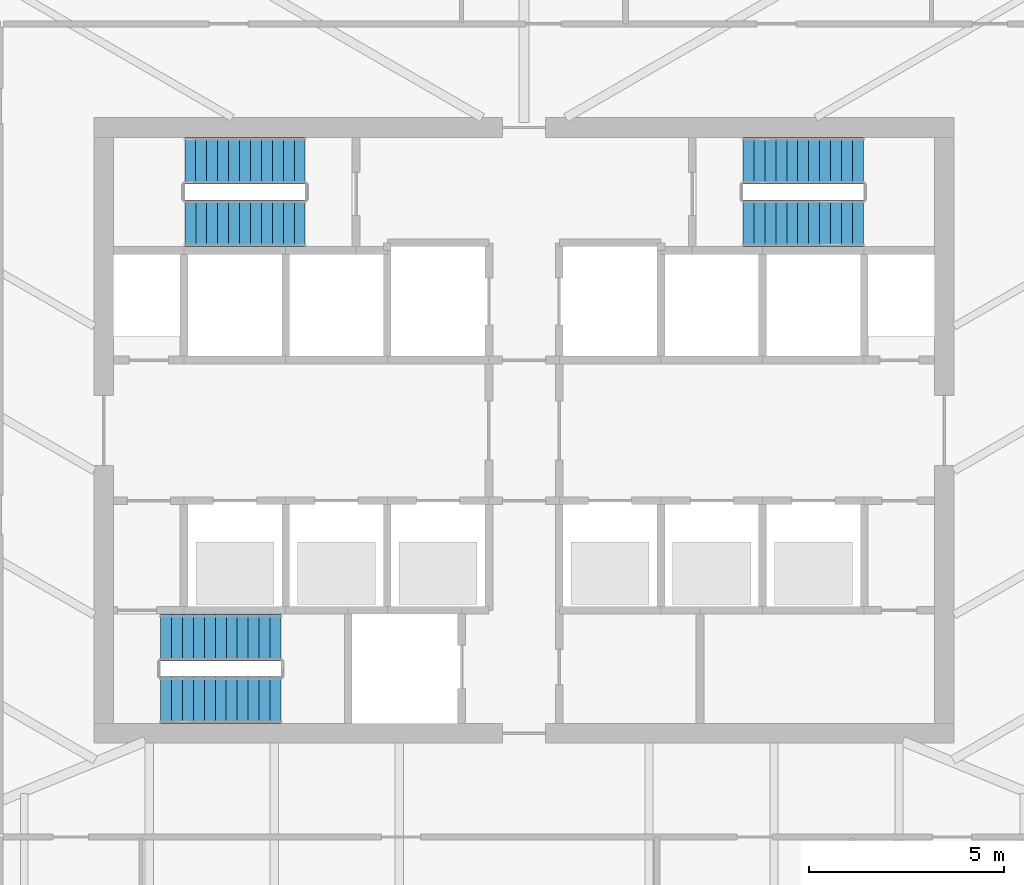
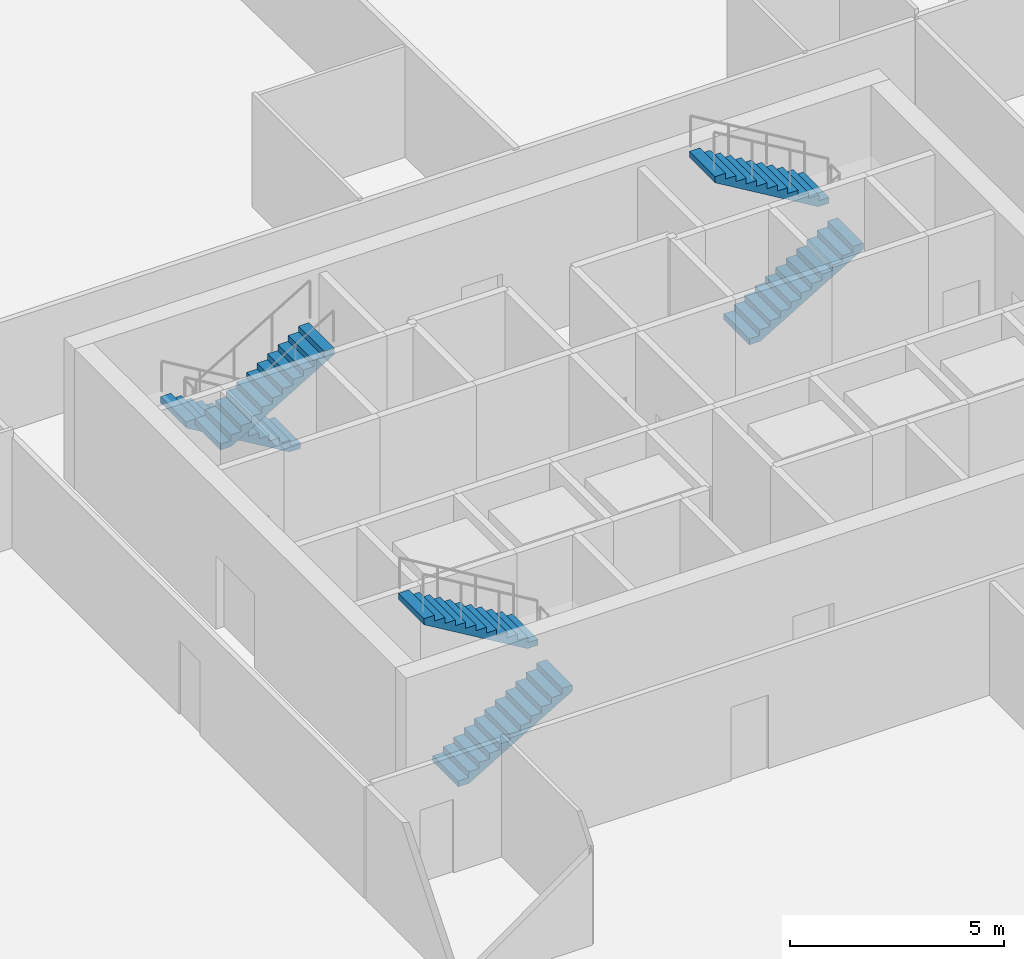
# One storey, part 12 of 16: 6 stair flights, 3 elements without a shape of their own.
"""IFC4 building model written with IfcOpenShell, lengths in metres."""

from ifc_helpers import new_model, si_unit, direction, frame, origin, place, context, subcontext, project, spatial, polyline, outline, extrude, material, type_object, element, aggregate, save


model = new_model("IFC4")

# Units and contexts
model_context = context("Model", 3, precision=1e-05, world=origin(), true_north=direction((0.0, 1.0)))
body_context = subcontext(model_context, "Body", "Model", "MODEL_VIEW")
ifc_project = project(units=[si_unit("LENGTHUNIT", "METRE"), si_unit("AREAUNIT", "SQUARE_METRE"), si_unit("VOLUMEUNIT", "CUBIC_METRE"), si_unit("PLANEANGLEUNIT", "RADIAN"), si_unit("MASSUNIT", "GRAM", prefix="KILO")], contexts=[model_context])

# Site, building, storey
site_placement = place(None, origin())
site = spatial("IfcSite", under=ifc_project, at=site_placement, CompositionType="ELEMENT")
building_placement = place(site_placement, origin())
building = spatial("IfcBuilding", under=site, at=building_placement, Name="Sierra Prisma Convention Tower", CompositionType="ELEMENT")
storey_placement = place(building_placement, frame((0.0, 0.0, 165.800048828125)))
storey = spatial("IfcBuildingStorey", under=building, at=storey_placement, Name="L36", CompositionType="ELEMENT", Elevation=165.800048828125)

# Stair, stair flights
ifc_material_1 = material(Name="Concrete C30/37", Category="concrete")
stair_type = type_object("IfcStairType", Name="Stair dog-leg 1200 RC", PredefinedType="HALF_TURN_STAIR", material=ifc_material_1)
stair_1_placement = place(storey_placement, origin())
stair_1 = element("IfcStair", 1, at=stair_1_placement, inside=storey, type_object=stair_type, Name="L36 S1", PredefinedType="HALF_TURN_STAIR")
ifc_material_2 = material(Name="Concrete C30/37", Category="concrete")
stair_flight_type = type_object("IfcStairFlightType", Name="Stair flight RC 1200", PredefinedType="STRAIGHT", material=ifc_material_2)
stair_flight_1_placement = place(storey_placement, frame((-9.300048828125, -6.89990234375, 0.0), z_axis=(0.0, 0.0, 1.0), x_axis=(1.0, 0.0, 0.0)))
stair_flight_1 = element("IfcStairFlight", 2, at=stair_flight_1_placement, type_object=stair_flight_type, Name="S1 flight 1", NumberOfRisers=12, NumberOfTreads=11, PredefinedType="STRAIGHT", RiserHeight=0.166666667, TreadLength=0.28, context=body_context, shape_type="SweptSolid", body=[
    extrude(outline(polyline([(0.0, 0.0), (0.0, 0.166748046875), (0.280029296875, 0.166748046875), (0.280029296875, 0.333251953125), (0.56005859375, 0.333251953125), (0.56005859375, 0.5), (0.840087890625, 0.5), (0.840087890625, 0.666748046875), (1.1201171875, 0.666748046875), (1.1201171875, 0.833251953125), (1.39990234375, 0.833251953125), (1.39990234375, 1.0), (1.679931640625, 1.0), (1.679931640625, 1.166748046875), (1.9599609375, 1.166748046875), (1.9599609375, 1.333251953125), (2.239990234375, 1.333251953125), (2.239990234375, 1.5), (2.52001953125, 1.5), (2.52001953125, 1.666748046875), (2.800048828125, 1.666748046875), (2.800048828125, 1.833251953125), (3.080078125, 1.833251953125), (3.080078125, 2.0), (3.080078125, 1.658935546875), (0.29296875, 0.0), (0.0, 0.0)])), frame((0.0, 0.60009765625, 0.0), z_axis=(0.0, -1.0, 0.0), x_axis=(1.0, 0.0, 0.0)), (0.0, 0.0, 1.0), 1.199951171875),
])
stair_flight_2_placement = place(storey_placement, frame((-6.219970703125, -5.300048828125, 2.0), z_axis=(0.0, 0.0, 1.0), x_axis=(-1.0, 0.0, 0.0)))
stair_flight_2 = element("IfcStairFlight", 3, at=stair_flight_2_placement, type_object=stair_flight_type, Name="S1 flight 2", NumberOfRisers=12, NumberOfTreads=11, PredefinedType="STRAIGHT", RiserHeight=0.166666667, TreadLength=0.28, context=body_context, shape_type="SweptSolid", body=[
    extrude(outline(polyline([(0.0, 0.0), (0.0, 0.166748046875), (0.280029296875, 0.166748046875), (0.280029296875, 0.333251953125), (0.56005859375, 0.333251953125), (0.56005859375, 0.5), (0.840087890625, 0.5), (0.840087890625, 0.666748046875), (1.1201171875, 0.666748046875), (1.1201171875, 0.833251953125), (1.39990234375, 0.833251953125), (1.39990234375, 1.0), (1.679931640625, 1.0), (1.679931640625, 1.166748046875), (1.9599609375, 1.166748046875), (1.9599609375, 1.333251953125), (2.239990234375, 1.333251953125), (2.239990234375, 1.5), (2.52001953125, 1.5), (2.52001953125, 1.666748046875), (2.800048828125, 1.666748046875), (2.800048828125, 1.833251953125), (3.080078125, 1.833251953125), (3.080078125, 2.0), (3.080078125, 1.658935546875), (0.29296875, 0.0), (0.0, 0.0)])), frame((0.0, 0.60009765625, 0.0), z_axis=(0.0, -1.0, 0.0), x_axis=(1.0, 0.0, 0.0)), (0.0, 0.0, 1.0), 1.199951171875),
])
aggregate(stair_1, [stair_flight_1, stair_flight_2])

stair_2_placement = place(storey_placement, origin())
stair_2 = element("IfcStair", 4, at=stair_2_placement, inside=storey, type_object=stair_type, Name="L36 S3", PredefinedType="HALF_TURN_STAIR")
stair_flight_3_placement = place(storey_placement, frame((-5.60009765625, 6.89990234375, 0.0), z_axis=(0.0, 0.0, 1.0), x_axis=(-1.0, 0.0, 0.0)))
stair_flight_3 = element("IfcStairFlight", 5, at=stair_flight_3_placement, type_object=stair_flight_type, Name="S3 flight 1", NumberOfRisers=12, NumberOfTreads=11, PredefinedType="STRAIGHT", RiserHeight=0.166666667, TreadLength=0.28, context=body_context, shape_type="SweptSolid", body=[
    extrude(outline(polyline([(0.0, 0.0), (0.0, 0.166748046875), (0.280029296875, 0.166748046875), (0.280029296875, 0.333251953125), (0.56005859375, 0.333251953125), (0.56005859375, 0.5), (0.840087890625, 0.5), (0.840087890625, 0.666748046875), (1.1201171875, 0.666748046875), (1.1201171875, 0.833251953125), (1.39990234375, 0.833251953125), (1.39990234375, 1.0), (1.679931640625, 1.0), (1.679931640625, 1.166748046875), (1.9599609375, 1.166748046875), (1.9599609375, 1.333251953125), (2.239990234375, 1.333251953125), (2.239990234375, 1.5), (2.52001953125, 1.5), (2.52001953125, 1.666748046875), (2.800048828125, 1.666748046875), (2.800048828125, 1.833251953125), (3.080078125, 1.833251953125), (3.080078125, 2.0), (3.080078125, 1.658935546875), (0.29296875, 0.0), (0.0, 0.0)])), frame((0.0, 0.60009765625, 0.0), z_axis=(0.0, -1.0, 0.0), x_axis=(1.0, 0.0, 0.0)), (0.0, 0.0, 1.0), 1.199951171875),
])
stair_flight_4_placement = place(storey_placement, frame((-8.679931640625, 5.300048828125, 2.0), z_axis=(0.0, 0.0, 1.0), x_axis=(1.0, 0.0, 0.0)))
stair_flight_4 = element("IfcStairFlight", 6, at=stair_flight_4_placement, type_object=stair_flight_type, Name="S3 flight 2", NumberOfRisers=12, NumberOfTreads=11, PredefinedType="STRAIGHT", RiserHeight=0.166666667, TreadLength=0.28, context=body_context, shape_type="SweptSolid", body=[
    extrude(outline(polyline([(0.0, 0.0), (0.0, 0.166748046875), (0.280029296875, 0.166748046875), (0.280029296875, 0.333251953125), (0.56005859375, 0.333251953125), (0.56005859375, 0.5), (0.840087890625, 0.5), (0.840087890625, 0.666748046875), (1.1201171875, 0.666748046875), (1.1201171875, 0.833251953125), (1.39990234375, 0.833251953125), (1.39990234375, 1.0), (1.679931640625, 1.0), (1.679931640625, 1.166748046875), (1.9599609375, 1.166748046875), (1.9599609375, 1.333251953125), (2.239990234375, 1.333251953125), (2.239990234375, 1.5), (2.52001953125, 1.5), (2.52001953125, 1.666748046875), (2.800048828125, 1.666748046875), (2.800048828125, 1.833251953125), (3.080078125, 1.833251953125), (3.080078125, 2.0), (3.080078125, 1.658935546875), (0.29296875, 0.0), (0.0, 0.0)])), frame((0.0, 0.60009765625, 0.0), z_axis=(0.0, -1.0, 0.0), x_axis=(1.0, 0.0, 0.0)), (0.0, 0.0, 1.0), 1.199951171875),
])
aggregate(stair_2, [stair_flight_3, stair_flight_4])

stair_3_placement = place(storey_placement, origin())
stair_3 = element("IfcStair", 7, at=stair_3_placement, inside=storey, type_object=stair_type, Name="L36 S4", PredefinedType="HALF_TURN_STAIR")
stair_flight_5_placement = place(storey_placement, frame((5.60009765625, 5.300048828125, 0.0), z_axis=(0.0, 0.0, 1.0), x_axis=(1.0, 0.0, 0.0)))
stair_flight_5 = element("IfcStairFlight", 8, at=stair_flight_5_placement, type_object=stair_flight_type, Name="S4 flight 1", NumberOfRisers=12, NumberOfTreads=11, PredefinedType="STRAIGHT", RiserHeight=0.166666667, TreadLength=0.28, context=body_context, shape_type="SweptSolid", body=[
    extrude(outline(polyline([(0.0, 0.0), (0.0, 0.166748046875), (0.280029296875, 0.166748046875), (0.280029296875, 0.333251953125), (0.56005859375, 0.333251953125), (0.56005859375, 0.5), (0.840087890625, 0.5), (0.840087890625, 0.666748046875), (1.1201171875, 0.666748046875), (1.1201171875, 0.833251953125), (1.39990234375, 0.833251953125), (1.39990234375, 1.0), (1.679931640625, 1.0), (1.679931640625, 1.166748046875), (1.9599609375, 1.166748046875), (1.9599609375, 1.333251953125), (2.239990234375, 1.333251953125), (2.239990234375, 1.5), (2.52001953125, 1.5), (2.52001953125, 1.666748046875), (2.800048828125, 1.666748046875), (2.800048828125, 1.833251953125), (3.080078125, 1.833251953125), (3.080078125, 2.0), (3.080078125, 1.658935546875), (0.29296875, 0.0), (0.0, 0.0)])), frame((0.0, 0.60009765625, 0.0), z_axis=(0.0, -1.0, 0.0), x_axis=(1.0, 0.0, 0.0)), (0.0, 0.0, 1.0), 1.199951171875),
])
stair_flight_6_placement = place(storey_placement, frame((8.679931640625, 6.89990234375, 2.0), z_axis=(0.0, 0.0, 1.0), x_axis=(-1.0, 0.0, 0.0)))
stair_flight_6 = element("IfcStairFlight", 9, at=stair_flight_6_placement, type_object=stair_flight_type, Name="S4 flight 2", NumberOfRisers=12, NumberOfTreads=11, PredefinedType="STRAIGHT", RiserHeight=0.166666667, TreadLength=0.28, context=body_context, shape_type="SweptSolid", body=[
    extrude(outline(polyline([(0.0, 0.0), (0.0, 0.166748046875), (0.280029296875, 0.166748046875), (0.280029296875, 0.333251953125), (0.56005859375, 0.333251953125), (0.56005859375, 0.5), (0.840087890625, 0.5), (0.840087890625, 0.666748046875), (1.1201171875, 0.666748046875), (1.1201171875, 0.833251953125), (1.39990234375, 0.833251953125), (1.39990234375, 1.0), (1.679931640625, 1.0), (1.679931640625, 1.166748046875), (1.9599609375, 1.166748046875), (1.9599609375, 1.333251953125), (2.239990234375, 1.333251953125), (2.239990234375, 1.5), (2.52001953125, 1.5), (2.52001953125, 1.666748046875), (2.800048828125, 1.666748046875), (2.800048828125, 1.833251953125), (3.080078125, 1.833251953125), (3.080078125, 2.0), (3.080078125, 1.658935546875), (0.29296875, 0.0), (0.0, 0.0)])), frame((0.0, 0.60009765625, 0.0), z_axis=(0.0, -1.0, 0.0), x_axis=(1.0, 0.0, 0.0)), (0.0, 0.0, 1.0), 1.199951171875),
])
aggregate(stair_3, [stair_flight_5, stair_flight_6])

save(model, "model.ifc")
